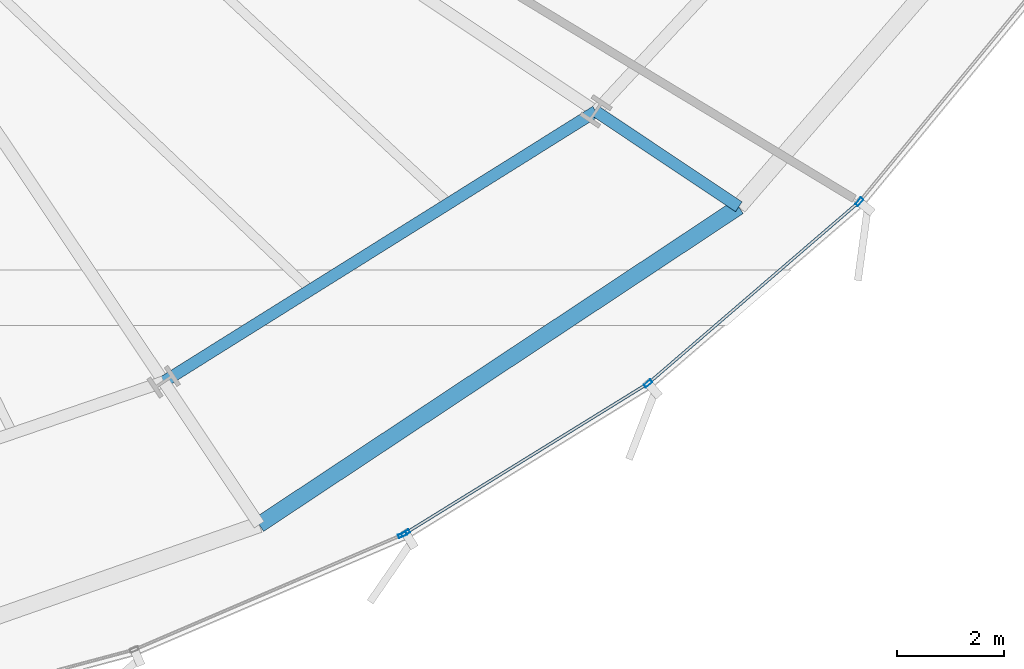
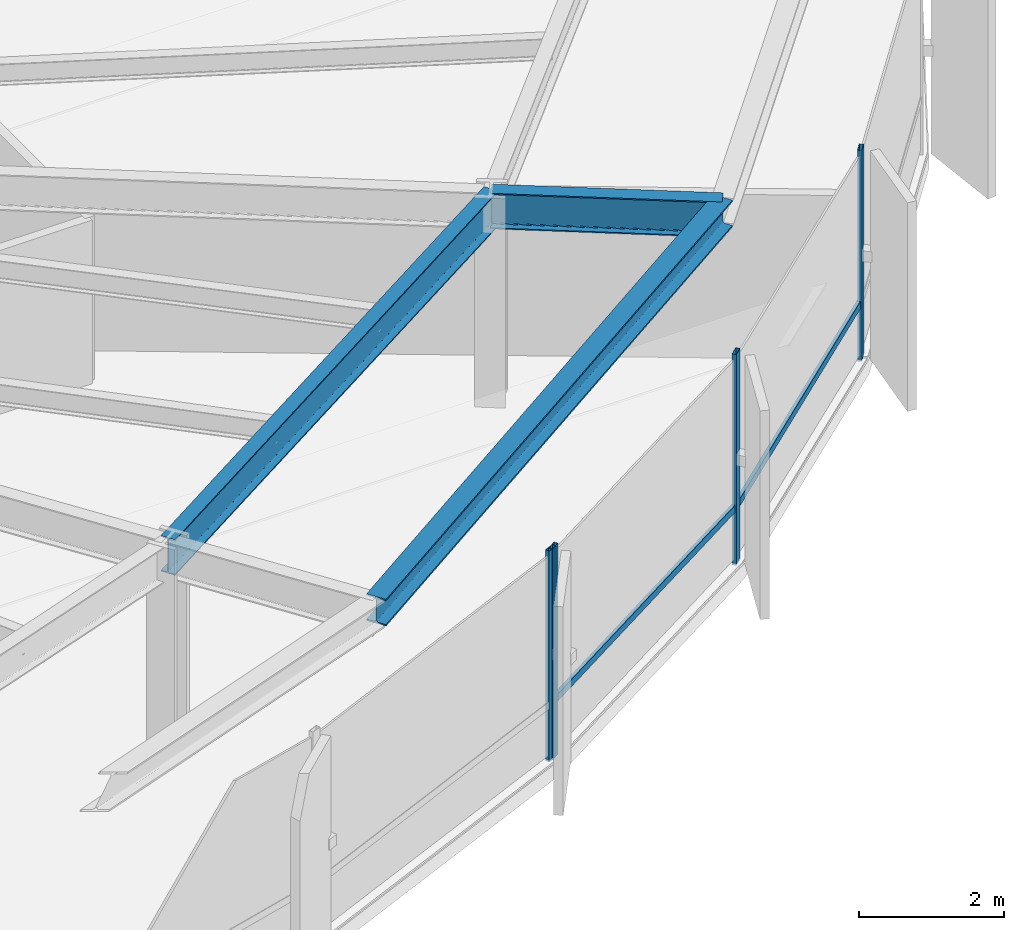
# One storey, part 13 of 39: 6 members, 3 beams, 2 elements without a shape of their own.
"""IFC4 building model written with IfcOpenShell, lengths in metres."""

from ifc_helpers import new_model, si_unit, direction, frame, origin, origin_2d, place, context, subcontext, project, spatial, hollow_rectangle, i_section, extrude, source, transform, mapped, material, layer, layer_set, material_profile, profile_set, type_object, element, aggregate, save


model = new_model("IFC4")

# Units and contexts
model_context = context("Model", 3, precision=1e-05, world=origin(), true_north=direction((0.0, 1.0)))
body_context = subcontext(model_context, "Body", "Model", "MODEL_VIEW")
ifc_project = project(units=[si_unit("LENGTHUNIT", "METRE"), si_unit("AREAUNIT", "SQUARE_METRE"), si_unit("VOLUMEUNIT", "CUBIC_METRE"), si_unit("PLANEANGLEUNIT", "RADIAN"), si_unit("MASSUNIT", "GRAM", prefix="KILO"), si_unit("THERMODYNAMICTEMPERATUREUNIT", "KELVIN")], contexts=[model_context])

# Site, building, storey
site_placement = place(None, origin())
site = spatial("IfcSite", under=ifc_project, at=site_placement, CompositionType="ELEMENT")
building_placement = place(site_placement, origin())
building = spatial("IfcBuilding", under=site, at=building_placement, Name="Kethvar Cultural Tower", CompositionType="ELEMENT")
storey_placement = place(building_placement, frame((0.0, 0.0, 41.0)))
storey = spatial("IfcBuildingStorey", under=building, at=storey_placement, Name="L09", CompositionType="ELEMENT", Elevation=41.0)

# Beams
ifc_material_1 = material(Name="Steel S355J2", Category="steel")
ifc_material_profile_1 = material_profile(ifc_material_1, i_section(OverallWidth=0.219970703125, OverallDepth=0.60009765625, WebThickness=0.011962890625, FlangeThickness=0.01904296875, FilletRadius=0.02392578125, at=origin_2d()), Name="Steel S355J2 — IPE600")
ifc_profile_set_1 = profile_set([ifc_material_profile_1], Name="Steel S355J2 — IPE600")
beam_type_1 = type_object("IfcBeamType", Name="BM-IPE600", PredefinedType="BEAM", material=ifc_profile_set_1)
shared_shape_1 = source(origin(), body_context, "Body", "SweptSolid", [
    extrude(i_section(OverallWidth=0.219970703125, OverallDepth=0.60009765625, WebThickness=0.011962890625, FlangeThickness=0.01904296875, FilletRadius=0.02392578125, at=origin_2d()), origin(), (0.0, 0.0, 1.0), 3.19970703125),
])
beam_1_placement = place(storey_placement, frame((67.41845703125, 14.023193359375, 3.248046875), z_axis=(0.831498187863, -0.55552746429, 0.0), x_axis=(0.55552746429, 0.831498187863, 0.0)))
element("IfcBeam", 1, at=beam_1_placement, inside=storey, type_object=beam_type_1, Name="L09 Perimeter Cantilever Beam RC-15", PredefinedType="BEAM", context=body_context, shape_type="MappedRepresentation", body=[
    mapped(shared_shape_1, transform((0.0, 0.0, 0.0), scale=1.0)),
])
shared_shape_2 = source(origin(), body_context, "Body", "SweptSolid", [
    extrude(i_section(OverallWidth=0.219970703125, OverallDepth=0.60009765625, WebThickness=0.011962890625, FlangeThickness=0.01904296875, FilletRadius=0.02392578125, at=origin_2d()), origin(), (0.0, 0.0, 1.0), 9.493896484375),
])
beam_2_placement = place(storey_placement, frame((59.370361328125, 8.987060546875, 3.248046875), z_axis=(0.847710685997, 0.530458851228, 0.0), x_axis=(-0.530458851228, 0.847710685997, 0.0)))
element("IfcBeam", 2, at=beam_2_placement, inside=storey, type_object=beam_type_1, Name="L09 Column Ring Tie Beam CR-14", PredefinedType="BEAM", context=body_context, shape_type="MappedRepresentation", body=[
    mapped(shared_shape_2, transform((0.0, 0.0, 0.0), scale=1.0)),
])
ifc_material_profile_2 = material_profile(ifc_material_1, i_section(OverallWidth=0.300048828125, OverallDepth=0.449951171875, WebThickness=0.013916015625, FlangeThickness=0.02587890625, FilletRadius=0.027099609375, at=origin_2d()), Name="Steel S355J2 — HEB450")
ifc_profile_set_2 = profile_set([ifc_material_profile_2], Name="Steel S355J2 — HEB450")
beam_type_2 = type_object("IfcBeamType", Name="BM-SP450", PredefinedType="SPANDREL", material=ifc_profile_set_2)
shared_shape_3 = source(origin(), body_context, "Body", "SweptSolid", [
    extrude(i_section(OverallWidth=0.300048828125, OverallDepth=0.449951171875, WebThickness=0.013916015625, FlangeThickness=0.02587890625, FilletRadius=0.027099609375, at=origin_2d()), origin(), (0.0, 0.0, 1.0), 10.71435546875),
])
beam_3_placement = place(storey_placement, frame((61.148193359375, 6.326416015625, 3.322998046875), z_axis=(0.833544146731, 0.552452853599, 0.0), x_axis=(-0.552452853599, 0.833544146731, 0.0)))
element("IfcBeam", 3, at=beam_3_placement, inside=storey, type_object=beam_type_2, Name="L09 Perimeter Spandrel Beam SP-14", PredefinedType="SPANDREL", context=body_context, shape_type="MappedRepresentation", body=[
    mapped(shared_shape_3, transform((0.0, 0.0, 0.0), scale=1.0)),
])

# Curtain wall, member
ifc_material_2 = material(Name="Aluminium 6063-T6", Category="aluminium")
ifc_layer = layer(ifc_material_2, 0.179931640625, Name="Aluminium 6063-T6", Category="aluminium")
ifc_layer_set = layer_set([ifc_layer], Name="Aluminium 6063-T6 (180 mm)")
curtain_wall_type = type_object("IfcCurtainWallType", Name="CW-SYS-02-Z1", PredefinedType="NOTDEFINED", material=ifc_layer_set)
curtain_wall_1_placement = place(storey_placement, origin())
curtain_wall_1 = element("IfcCurtainWall", 4, at=curtain_wall_1_placement, inside=storey, type_object=curtain_wall_type, Name="L09 Curtain Wall Run 05", PredefinedType="NOTDEFINED")
ifc_material_profile_3 = material_profile(ifc_material_2, hollow_rectangle(XDim=0.06494140625, YDim=0.159912109375, WallThickness=0.0048828125, at=origin_2d()), Name="Aluminium 6063-T6 — RHS160x65x5")
ifc_profile_set_3 = profile_set([ifc_material_profile_3], Name="Aluminium 6063-T6 — RHS160x65x5")
member_type_1 = type_object("IfcMemberType", Name="CW-SYS-02-Z1-MUL", PredefinedType="MULLION", material=ifc_profile_set_3)
shared_shape_4 = source(origin(), body_context, "Body", "SweptSolid", [
    extrude(hollow_rectangle(XDim=0.06494140625, YDim=0.159912109375, WallThickness=0.0048828125, at=origin_2d()), origin(), (0.0, 0.0, 1.0), 3.550048828125),
])
member_1_placement = place(storey_placement, frame((63.81591796875, 6.137939453125, 0.0), z_axis=(0.0, 0.0, 1.0), x_axis=(-0.393877740879, 0.919162839349, 0.0)))
member_1 = element("IfcMember", 5, at=member_1_placement, type_object=member_type_1, Name="CW-L09-R05 Mullion 7", PredefinedType="MULLION", context=body_context, shape_type="MappedRepresentation", body=[
    mapped(shared_shape_4, transform((0.0, 0.0, 0.0), scale=1.0)),
])
aggregate(curtain_wall_1, [member_1])

# Curtain wall, members
curtain_wall_2_placement = place(storey_placement, origin())
curtain_wall_2 = element("IfcCurtainWall", 6, at=curtain_wall_2_placement, inside=storey, type_object=curtain_wall_type, Name="L09 Curtain Wall Run 06", PredefinedType="NOTDEFINED")
member_2_placement = place(storey_placement, frame((63.874755859375, 6.168701171875, 0.0), z_axis=(0.0, 0.0, 1.0), x_axis=(-0.52538255146, 0.850866132021, 0.0)))
member_2 = element("IfcMember", 7, at=member_2_placement, type_object=member_type_1, Name="CW-L09-R06 Mullion 1", PredefinedType="MULLION", context=body_context, shape_type="MappedRepresentation", body=[
    mapped(shared_shape_4, transform((0.0, 0.0, 0.0), scale=1.0)),
])
member_3_placement = place(storey_placement, frame((68.390869140625, 8.955322265625, 0.0), z_axis=(0.0, 0.0, 1.0), x_axis=(-0.652217483248, 0.758031895467, 0.0)))
member_3 = element("IfcMember", 8, at=member_3_placement, type_object=member_type_1, Name="CW-L09-R06 Mullion 2", PredefinedType="MULLION", context=body_context, shape_type="MappedRepresentation", body=[
    mapped(shared_shape_4, transform((0.0, 0.0, 0.0), scale=1.0)),
])
member_4_placement = place(storey_placement, frame((72.3251953125, 12.338134765625, 0.0), z_axis=(0.0, 0.0, 1.0), x_axis=(-0.771802179847, 0.635862717246, 0.0)))
member_4 = element("IfcMember", 9, at=member_4_placement, type_object=member_type_1, Name="CW-L09-R06 Mullion 3", PredefinedType="MULLION", context=body_context, shape_type="MappedRepresentation", body=[
    mapped(shared_shape_4, transform((0.0, 0.0, 0.0), scale=1.0)),
])
ifc_material_profile_4 = material_profile(ifc_material_2, hollow_rectangle(XDim=0.054931640625, YDim=0.1201171875, WallThickness=0.00390625, at=origin_2d()), Name="Aluminium 6063-T6 — RHS120x55x4")
ifc_profile_set_4 = profile_set([ifc_material_profile_4], Name="Aluminium 6063-T6 — RHS120x55x4")
member_type_2 = type_object("IfcMemberType", Name="CW-SYS-02-Z1-TRN", PredefinedType="USERDEFINED", material=ifc_profile_set_4)
shared_shape_5 = source(origin(), body_context, "Body", "SweptSolid", [
    extrude(hollow_rectangle(XDim=0.054931640625, YDim=0.1201171875, WallThickness=0.00390625, at=origin_2d()), origin(), (0.0, 0.0, 1.0), 5.115478515625),
])
member_5_placement = place(storey_placement, frame((68.42626953125, 8.98583984375, 0.949951171875), z_axis=(0.758028982008, 0.652220869365, 0.0), x_axis=(-0.652220869365, 0.758028982008, 0.0)))
member_5 = element("IfcMember", 10, at=member_5_placement, type_object=member_type_2, Name="CW-L09-R06 Transom 2", ObjectType="TRANSOM", PredefinedType="USERDEFINED", context=body_context, shape_type="MappedRepresentation", body=[
    mapped(shared_shape_5, transform((0.0, 0.0, 0.0), scale=1.0)),
])
shared_shape_6 = source(origin(), body_context, "Body", "SweptSolid", [
    extrude(hollow_rectangle(XDim=0.054931640625, YDim=0.1201171875, WallThickness=0.00390625, at=origin_2d()), origin(), (0.0, 0.0, 1.0), 5.274169921875),
])
member_6_placement = place(storey_placement, frame((63.878662109375, 6.1708984375, 0.949951171875), z_axis=(0.850859470205, 0.525393340233, 0.0), x_axis=(-0.525393340233, 0.850859470205, 0.0)))
member_6 = element("IfcMember", 11, at=member_6_placement, type_object=member_type_2, Name="CW-L09-R06 Transom 1", ObjectType="TRANSOM", PredefinedType="USERDEFINED", context=body_context, shape_type="MappedRepresentation", body=[
    mapped(shared_shape_6, transform((0.0, 0.0, 0.0), scale=1.0)),
])
aggregate(curtain_wall_2, [member_2, member_3, member_4, member_6, member_5])

save(model, "model.ifc")
